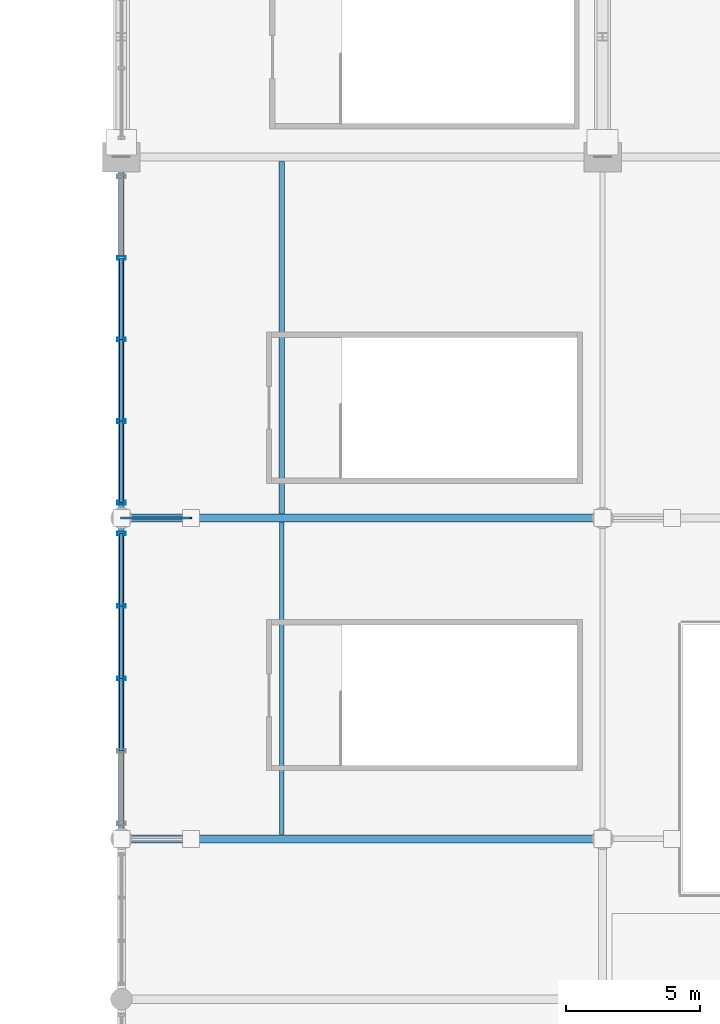
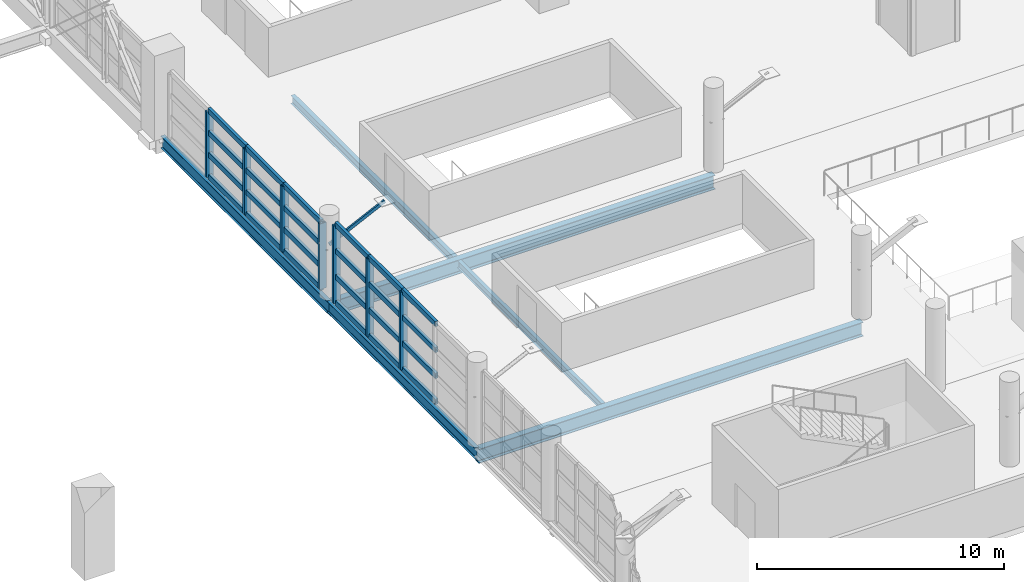
# One storey, part 14 of 136: 32 members, 6 beams, 2 elements without a shape of their own.
"""IFC4 building model written with IfcOpenShell, lengths in metres."""

from ifc_helpers import new_model, si_unit, direction, frame, origin, origin_2d, place, context, subcontext, project, spatial, hollow_rectangle, i_section, extrude, material, material_profile, profile_set, type_object, element, aggregate, save


model = new_model("IFC4")

# Units and contexts
model_context = context("Model", 3, precision=1e-05, world=origin(), true_north=direction((0.0, 1.0)))
body_context = subcontext(model_context, "Body", "Model", "MODEL_VIEW")
ifc_project = project(units=[si_unit("LENGTHUNIT", "METRE"), si_unit("AREAUNIT", "SQUARE_METRE"), si_unit("VOLUMEUNIT", "CUBIC_METRE"), si_unit("PLANEANGLEUNIT", "RADIAN"), si_unit("MASSUNIT", "GRAM", prefix="KILO")], contexts=[model_context])

# Site, building, storey
site_placement = place(None, origin())
site = spatial("IfcSite", under=ifc_project, at=site_placement, CompositionType="ELEMENT")
building_placement = place(site_placement, origin())
building = spatial("IfcBuilding", under=site, at=building_placement, Name="Chuanluo Vaults Station", CompositionType="ELEMENT")
storey_placement = place(building_placement, frame((0.0, 0.0, 6.60009765625)))
storey = spatial("IfcBuildingStorey", under=building, at=storey_placement, Name="L01", CompositionType="ELEMENT", Elevation=6.60009765625)

# Beams
ifc_material_1 = material(Name="Steel Q355C", Category="steel")
ifc_material_profile_1 = material_profile(ifc_material_1, i_section(OverallWidth=0.199951171875, OverallDepth=0.550048828125, WebThickness=0.010009765625, FlangeThickness=0.01611328125, FilletRadius=0.01806640625, at=origin_2d()))
ifc_profile_set_1 = profile_set([ifc_material_profile_1], Name="Steel Q355C")
beam_type_1 = type_object("IfcBeamType", Name="BM-GRD-550", PredefinedType="USERDEFINED", material=ifc_profile_set_1)
beam_1_placement = place(storey_placement, frame((18.0, 42.0, -0.55517578125), z_axis=(0.0, 1.0, 0.0), x_axis=(-1.0, 0.0, 0.0)))
element("IfcBeam", 1, at=beam_1_placement, inside=storey, type_object=beam_type_1, Name="Floor girder BM:GY:L01:0415", ObjectType="GIRDER", PredefinedType="USERDEFINED", context=body_context, shape_type="SweptSolid", body=[
    extrude(i_section(OverallWidth=0.199951171875, OverallDepth=0.550048828125, WebThickness=0.010009765625, FlangeThickness=0.01611328125, FilletRadius=0.01806640625, at=origin_2d()), origin(), (0.0, 0.0, 1.0), 12.0),
])
ifc_material_2 = material(Name="Steel Q355C", Category="steel")
ifc_material_profile_2 = material_profile(ifc_material_2, i_section(OverallWidth=0.199951171875, OverallDepth=0.60009765625, WebThickness=0.010986328125, FlangeThickness=0.01708984375, FilletRadius=0.01806640625, at=origin_2d()))
ifc_profile_set_2 = profile_set([ifc_material_profile_2], Name="Steel Q355C")
beam_type_2 = type_object("IfcBeamType", Name="BM-GRD-600", PredefinedType="USERDEFINED", material=ifc_profile_set_2)
beam_2_placement = place(storey_placement, frame((18.0, 54.0, -0.580078125), z_axis=(0.0, 1.0, 0.0), x_axis=(-1.0, 0.0, 0.0)))
element("IfcBeam", 2, at=beam_2_placement, inside=storey, type_object=beam_type_2, Name="Floor girder BM:GY:L01:0416", ObjectType="GIRDER", PredefinedType="USERDEFINED", context=body_context, shape_type="SweptSolid", body=[
    extrude(i_section(OverallWidth=0.199951171875, OverallDepth=0.60009765625, WebThickness=0.010986328125, FlangeThickness=0.01708984375, FilletRadius=0.01806640625, at=origin_2d()), origin(), (0.0, 0.0, 1.0), 13.5),
])
ifc_material_3 = material(Name="Steel Q355C", Category="steel")
ifc_material_profile_3 = material_profile(ifc_material_3, i_section(OverallWidth=0.300048828125, OverallDepth=0.699951171875, WebThickness=0.012939453125, FlangeThickness=0.02392578125, FilletRadius=0.02197265625, at=origin_2d()))
ifc_profile_set_3 = profile_set([ifc_material_profile_3], Name="Steel Q355C")
beam_type_3 = type_object("IfcBeamType", Name="BM-GRD-700", PredefinedType="USERDEFINED", material=ifc_profile_set_3)
for number, where, z_axis, x_axis, name in (
    (3, (18.0, 42.0, -0.630126953125), (1.0, 0.0, 0.0), (0.0, 1.0, 0.0), "Floor girder BM:GX:L01:0314"),
    (4, (18.0, 54.0, -0.630126953125), (1.0, 0.0, 0.0), (0.0, 1.0, 0.0), "Floor girder BM:GX:L01:0323"),
):
    element("IfcBeam", number, at=place(storey_placement, frame(where, z_axis=z_axis, x_axis=x_axis)), inside=storey, type_object=beam_type_3, Name=name, ObjectType="GIRDER", PredefinedType="USERDEFINED", context=body_context, shape_type="SweptSolid", body=[
        extrude(i_section(OverallWidth=0.300048828125, OverallDepth=0.699951171875, WebThickness=0.012939453125, FlangeThickness=0.02392578125, FilletRadius=0.02197265625, at=origin_2d()), origin(), (0.0, 0.0, 1.0), 18.0),
    ])
ifc_material_4 = material(Name="Steel Q355C", Category="steel")
ifc_material_profile_4 = material_profile(ifc_material_4, i_section(OverallWidth=0.175048828125, OverallDepth=0.35009765625, WebThickness=0.007080078125, FlangeThickness=0.010986328125, FilletRadius=0.013916015625, at=origin_2d()))
ifc_profile_set_4 = profile_set([ifc_material_profile_4], Name="Steel Q355C")
beam_type_4 = type_object("IfcBeamType", Name="BM-SEC-350", PredefinedType="JOIST", material=ifc_profile_set_4)
beam_3_placement = place(storey_placement, frame((24.0, 42.155029296875, -0.455078125), z_axis=(0.0, 1.0, 0.0), x_axis=(-1.0, 0.0, 0.0)))
element("IfcBeam", 5, at=beam_3_placement, inside=storey, type_object=beam_type_4, Name="Composite secondary joist 0113", PredefinedType="JOIST", context=body_context, shape_type="SweptSolid", body=[
    extrude(i_section(OverallWidth=0.175048828125, OverallDepth=0.35009765625, WebThickness=0.007080078125, FlangeThickness=0.010986328125, FilletRadius=0.013916015625, at=origin_2d()), origin(), (0.0, 0.0, 1.0), 11.68994140625),
])
ifc_material_5 = material(Name="Steel Q355C", Category="steel")
ifc_material_profile_5 = material_profile(ifc_material_5, i_section(OverallWidth=0.199951171875, OverallDepth=0.39990234375, WebThickness=0.008056640625, FlangeThickness=0.012939453125, FilletRadius=0.01611328125, at=origin_2d()))
ifc_profile_set_5 = profile_set([ifc_material_profile_5], Name="Steel Q355C")
beam_type_5 = type_object("IfcBeamType", Name="BM-SEC-400", PredefinedType="BEAM", material=ifc_profile_set_5)
beam_4_placement = place(storey_placement, frame((24.0, 54.155029296875, -0.47998046875), z_axis=(0.0, 1.0, 0.0), x_axis=(-1.0, 0.0, 0.0)))
element("IfcBeam", 6, at=beam_4_placement, inside=storey, type_object=beam_type_5, Name="Composite secondary joist 0114", PredefinedType="BEAM", context=body_context, shape_type="SweptSolid", body=[
    extrude(i_section(OverallWidth=0.199951171875, OverallDepth=0.39990234375, WebThickness=0.008056640625, FlangeThickness=0.012939453125, FilletRadius=0.01611328125, at=origin_2d()), origin(), (0.0, 0.0, 1.0), 13.18994140625),
])

# Curtain wall, members
ifc_material_6 = material(Name="Anodised aluminium 6063-T6", Category="aluminium")
curtain_wall_type_1 = type_object("IfcCurtainWallType", Name="CW-SYS-09", PredefinedType="NOTDEFINED", material=ifc_material_6)
curtain_wall_1_placement = place(storey_placement, origin())
curtain_wall_1 = element("IfcCurtainWall", 7, at=curtain_wall_1_placement, inside=storey, type_object=curtain_wall_type_1, Name="Concourse west curtain wall 42", PredefinedType="NOTDEFINED")
ifc_material_7 = material(Name="Anodised aluminium 6063-T6", Category="aluminium")
ifc_material_profile_6 = material_profile(ifc_material_7, hollow_rectangle(XDim=0.139892578125, YDim=0.320068359375, WallThickness=0.008056640625, at=origin_2d()))
ifc_profile_set_6 = profile_set([ifc_material_profile_6], Name="Anodised aluminium 6063-T6")
member_type_1 = type_object("IfcMemberType", Name="CWM-220", PredefinedType="MULLION", material=ifc_profile_set_6)
member_1_placement = place(storey_placement, frame((18.0, 48.0, 0.0), z_axis=(0.0, 0.0, 1.0), x_axis=(0.0, 1.0, 0.0)))
member_1 = element("IfcMember", 8, at=member_1_placement, type_object=member_type_1, Name="Concourse west curtain wall 42 mullion 3", PredefinedType="MULLION", context=body_context, shape_type="SweptSolid", body=[
    extrude(hollow_rectangle(XDim=0.139892578125, YDim=0.320068359375, WallThickness=0.008056640625, at=origin_2d()), origin(), (0.0, 0.0, 1.0), 3.849853515625),
])
member_2_placement = place(storey_placement, frame((18.0, 50.71240234375, 0.0), z_axis=(0.0, 0.0, 1.0), x_axis=(0.0, 1.0, 0.0)))
member_2 = element("IfcMember", 9, at=member_2_placement, type_object=member_type_1, Name="Concourse west curtain wall 42 mullion 4", PredefinedType="MULLION", context=body_context, shape_type="SweptSolid", body=[
    extrude(hollow_rectangle(XDim=0.139892578125, YDim=0.320068359375, WallThickness=0.008056640625, at=origin_2d()), origin(), (0.0, 0.0, 1.0), 3.849853515625),
])
member_3_placement = place(storey_placement, frame((18.0, 53.425048828125, 0.0), z_axis=(0.0, 0.0, 1.0), x_axis=(0.0, 1.0, 0.0)))
member_3 = element("IfcMember", 10, at=member_3_placement, type_object=member_type_1, Name="Concourse west curtain wall 42 mullion 5", PredefinedType="MULLION", context=body_context, shape_type="SweptSolid", body=[
    extrude(hollow_rectangle(XDim=0.139892578125, YDim=0.320068359375, WallThickness=0.008056640625, at=origin_2d()), origin(), (0.0, 0.0, 1.0), 3.849853515625),
])

ifc_material_8 = material(Name="Anodised aluminium 6063-T6", Category="aluminium")
curtain_wall_type_2 = type_object("IfcCurtainWallType", Name="CW-SYS-21", PredefinedType="NOTDEFINED", material=ifc_material_8)
curtain_wall_2_placement = place(storey_placement, origin())
curtain_wall_2 = element("IfcCurtainWall", 11, at=curtain_wall_2_placement, inside=storey, type_object=curtain_wall_type_2, Name="Over-track west hall CW 54", PredefinedType="NOTDEFINED")
member_4_placement = place(storey_placement, frame((18.0, 54.574951171875, 0.0), z_axis=(0.0, 0.0, 1.0), x_axis=(0.0, 1.0, 0.0)))
member_4 = element("IfcMember", 12, at=member_4_placement, type_object=member_type_1, Name="Over-track west hall CW 54 mullion 1", PredefinedType="MULLION", context=body_context, shape_type="SweptSolid", body=[
    extrude(hollow_rectangle(XDim=0.139892578125, YDim=0.320068359375, WallThickness=0.008056640625, at=origin_2d()), origin(), (0.0, 0.0, 1.0), 3.25),
])
member_5_placement = place(storey_placement, frame((18.0, 57.625, 0.0), z_axis=(0.0, 0.0, 1.0), x_axis=(0.0, 1.0, 0.0)))
member_5 = element("IfcMember", 13, at=member_5_placement, type_object=member_type_1, Name="Over-track west hall CW 54 mullion 2", PredefinedType="MULLION", context=body_context, shape_type="SweptSolid", body=[
    extrude(hollow_rectangle(XDim=0.139892578125, YDim=0.320068359375, WallThickness=0.008056640625, at=origin_2d()), origin(), (0.0, 0.0, 1.0), 3.25),
])
member_6_placement = place(storey_placement, frame((18.0, 60.675048828125, 0.0), z_axis=(0.0, 0.0, 1.0), x_axis=(0.0, 1.0, 0.0)))
member_6 = element("IfcMember", 14, at=member_6_placement, type_object=member_type_1, Name="Over-track west hall CW 54 mullion 3", PredefinedType="MULLION", context=body_context, shape_type="SweptSolid", body=[
    extrude(hollow_rectangle(XDim=0.139892578125, YDim=0.320068359375, WallThickness=0.008056640625, at=origin_2d()), origin(), (0.0, 0.0, 1.0), 3.25),
])
member_7_placement = place(storey_placement, frame((18.0, 63.72509765625, 0.0), z_axis=(0.0, 0.0, 1.0), x_axis=(0.0, 1.0, 0.0)))
member_7 = element("IfcMember", 15, at=member_7_placement, type_object=member_type_1, Name="Over-track west hall CW 54 mullion 4", PredefinedType="MULLION", context=body_context, shape_type="SweptSolid", body=[
    extrude(hollow_rectangle(XDim=0.139892578125, YDim=0.320068359375, WallThickness=0.008056640625, at=origin_2d()), origin(), (0.0, 0.0, 1.0), 3.25),
])

# Member
ifc_material_9 = material(Name="Anodised aluminium 6063-T6", Category="aluminium")
ifc_material_profile_7 = material_profile(ifc_material_9, hollow_rectangle(XDim=0.139892578125, YDim=0.260009765625, WallThickness=0.007080078125, at=origin_2d()))
ifc_profile_set_7 = profile_set([ifc_material_profile_7], Name="Anodised aluminium 6063-T6")
member_type_2 = type_object("IfcMemberType", Name="CWT-180", PredefinedType="USERDEFINED", material=ifc_profile_set_7)
member_8_placement = place(storey_placement, frame((18.0, 45.28759765625, 0.0), z_axis=(0.0, 1.0, 0.0), x_axis=(-1.0, 0.0, 0.0)))
member_8 = element("IfcMember", 16, at=member_8_placement, type_object=member_type_2, Name="Concourse west curtain wall 42 transom 2.1", ObjectType="TRANSOM", PredefinedType="USERDEFINED", context=body_context, shape_type="SweptSolid", body=[
    extrude(hollow_rectangle(XDim=0.139892578125, YDim=0.260009765625, WallThickness=0.007080078125, at=origin_2d()), origin(), (0.0, 0.0, 1.0), 2.71240234375),
])

member_9_placement = place(storey_placement, frame((18.0, 45.28759765625, 1.283203125), z_axis=(0.0, 1.0, 0.0), x_axis=(-1.0, 0.0, 0.0)))
member_9 = element("IfcMember", 17, at=member_9_placement, type_object=member_type_2, Name="Concourse west curtain wall 42 transom 2.2", ObjectType="TRANSOM", PredefinedType="USERDEFINED", context=body_context, shape_type="SweptSolid", body=[
    extrude(hollow_rectangle(XDim=0.139892578125, YDim=0.260009765625, WallThickness=0.007080078125, at=origin_2d()), origin(), (0.0, 0.0, 1.0), 2.71240234375),
])

member_10_placement = place(storey_placement, frame((18.0, 45.28759765625, 2.566650390625), z_axis=(0.0, 1.0, 0.0), x_axis=(-1.0, 0.0, 0.0)))
member_10 = element("IfcMember", 18, at=member_10_placement, type_object=member_type_2, Name="Concourse west curtain wall 42 transom 2.3", ObjectType="TRANSOM", PredefinedType="USERDEFINED", context=body_context, shape_type="SweptSolid", body=[
    extrude(hollow_rectangle(XDim=0.139892578125, YDim=0.260009765625, WallThickness=0.007080078125, at=origin_2d()), origin(), (0.0, 0.0, 1.0), 2.71240234375),
])

member_11_placement = place(storey_placement, frame((18.0, 45.28759765625, 3.849853515625), z_axis=(0.0, 1.0, 0.0), x_axis=(-1.0, 0.0, 0.0)))
member_11 = element("IfcMember", 19, at=member_11_placement, type_object=member_type_2, Name="Concourse west curtain wall 42 transom 2.4", ObjectType="TRANSOM", PredefinedType="USERDEFINED", context=body_context, shape_type="SweptSolid", body=[
    extrude(hollow_rectangle(XDim=0.139892578125, YDim=0.260009765625, WallThickness=0.007080078125, at=origin_2d()), origin(), (0.0, 0.0, 1.0), 2.71240234375),
])

member_12_placement = place(storey_placement, frame((18.0, 48.0, 0.0), z_axis=(0.0, 1.0, 0.0), x_axis=(-1.0, 0.0, 0.0)))
member_12 = element("IfcMember", 20, at=member_12_placement, type_object=member_type_2, Name="Concourse west curtain wall 42 transom 3.1", ObjectType="TRANSOM", PredefinedType="USERDEFINED", context=body_context, shape_type="SweptSolid", body=[
    extrude(hollow_rectangle(XDim=0.139892578125, YDim=0.260009765625, WallThickness=0.007080078125, at=origin_2d()), origin(), (0.0, 0.0, 1.0), 2.71240234375),
])

member_13_placement = place(storey_placement, frame((18.0, 48.0, 1.283203125), z_axis=(0.0, 1.0, 0.0), x_axis=(-1.0, 0.0, 0.0)))
member_13 = element("IfcMember", 21, at=member_13_placement, type_object=member_type_2, Name="Concourse west curtain wall 42 transom 3.2", ObjectType="TRANSOM", PredefinedType="USERDEFINED", context=body_context, shape_type="SweptSolid", body=[
    extrude(hollow_rectangle(XDim=0.139892578125, YDim=0.260009765625, WallThickness=0.007080078125, at=origin_2d()), origin(), (0.0, 0.0, 1.0), 2.71240234375),
])

member_14_placement = place(storey_placement, frame((18.0, 48.0, 2.566650390625), z_axis=(0.0, 1.0, 0.0), x_axis=(-1.0, 0.0, 0.0)))
member_14 = element("IfcMember", 22, at=member_14_placement, type_object=member_type_2, Name="Concourse west curtain wall 42 transom 3.3", ObjectType="TRANSOM", PredefinedType="USERDEFINED", context=body_context, shape_type="SweptSolid", body=[
    extrude(hollow_rectangle(XDim=0.139892578125, YDim=0.260009765625, WallThickness=0.007080078125, at=origin_2d()), origin(), (0.0, 0.0, 1.0), 2.71240234375),
])

member_15_placement = place(storey_placement, frame((18.0, 48.0, 3.849853515625), z_axis=(0.0, 1.0, 0.0), x_axis=(-1.0, 0.0, 0.0)))
member_15 = element("IfcMember", 23, at=member_15_placement, type_object=member_type_2, Name="Concourse west curtain wall 42 transom 3.4", ObjectType="TRANSOM", PredefinedType="USERDEFINED", context=body_context, shape_type="SweptSolid", body=[
    extrude(hollow_rectangle(XDim=0.139892578125, YDim=0.260009765625, WallThickness=0.007080078125, at=origin_2d()), origin(), (0.0, 0.0, 1.0), 2.71240234375),
])

member_16_placement = place(storey_placement, frame((18.0, 50.71240234375, 0.0), z_axis=(0.0, 1.0, 0.0), x_axis=(-1.0, 0.0, 0.0)))
member_16 = element("IfcMember", 24, at=member_16_placement, type_object=member_type_2, Name="Concourse west curtain wall 42 transom 4.1", ObjectType="TRANSOM", PredefinedType="USERDEFINED", context=body_context, shape_type="SweptSolid", body=[
    extrude(hollow_rectangle(XDim=0.139892578125, YDim=0.260009765625, WallThickness=0.007080078125, at=origin_2d()), origin(), (0.0, 0.0, 1.0), 2.712646484375),
])

member_17_placement = place(storey_placement, frame((18.0, 50.71240234375, 1.283203125), z_axis=(0.0, 1.0, 0.0), x_axis=(-1.0, 0.0, 0.0)))
member_17 = element("IfcMember", 25, at=member_17_placement, type_object=member_type_2, Name="Concourse west curtain wall 42 transom 4.2", ObjectType="TRANSOM", PredefinedType="USERDEFINED", context=body_context, shape_type="SweptSolid", body=[
    extrude(hollow_rectangle(XDim=0.139892578125, YDim=0.260009765625, WallThickness=0.007080078125, at=origin_2d()), origin(), (0.0, 0.0, 1.0), 2.712646484375),
])

member_18_placement = place(storey_placement, frame((18.0, 50.71240234375, 2.566650390625), z_axis=(0.0, 1.0, 0.0), x_axis=(-1.0, 0.0, 0.0)))
member_18 = element("IfcMember", 26, at=member_18_placement, type_object=member_type_2, Name="Concourse west curtain wall 42 transom 4.3", ObjectType="TRANSOM", PredefinedType="USERDEFINED", context=body_context, shape_type="SweptSolid", body=[
    extrude(hollow_rectangle(XDim=0.139892578125, YDim=0.260009765625, WallThickness=0.007080078125, at=origin_2d()), origin(), (0.0, 0.0, 1.0), 2.712646484375),
])

member_19_placement = place(storey_placement, frame((18.0, 50.71240234375, 3.849853515625), z_axis=(0.0, 1.0, 0.0), x_axis=(-1.0, 0.0, 0.0)))
member_19 = element("IfcMember", 27, at=member_19_placement, type_object=member_type_2, Name="Concourse west curtain wall 42 transom 4.4", ObjectType="TRANSOM", PredefinedType="USERDEFINED", context=body_context, shape_type="SweptSolid", body=[
    extrude(hollow_rectangle(XDim=0.139892578125, YDim=0.260009765625, WallThickness=0.007080078125, at=origin_2d()), origin(), (0.0, 0.0, 1.0), 2.712646484375),
])

aggregate(curtain_wall_1, [member_1, member_2, member_3, member_8, member_9, member_10, member_11, member_12, member_13, member_14, member_15, member_16, member_17, member_18, member_19])

member_20_placement = place(storey_placement, frame((18.0, 54.574951171875, 0.0), z_axis=(0.0, 1.0, 0.0), x_axis=(-1.0, 0.0, 0.0)))
member_20 = element("IfcMember", 28, at=member_20_placement, type_object=member_type_2, Name="Over-track west hall CW 54 transom 1.1", ObjectType="TRANSOM", PredefinedType="USERDEFINED", context=body_context, shape_type="SweptSolid", body=[
    extrude(hollow_rectangle(XDim=0.139892578125, YDim=0.260009765625, WallThickness=0.007080078125, at=origin_2d()), origin(), (0.0, 0.0, 1.0), 3.050048828125),
])

member_21_placement = place(storey_placement, frame((18.0, 54.574951171875, 1.083251953125), z_axis=(0.0, 1.0, 0.0), x_axis=(-1.0, 0.0, 0.0)))
member_21 = element("IfcMember", 29, at=member_21_placement, type_object=member_type_2, Name="Over-track west hall CW 54 transom 1.2", ObjectType="TRANSOM", PredefinedType="USERDEFINED", context=body_context, shape_type="SweptSolid", body=[
    extrude(hollow_rectangle(XDim=0.139892578125, YDim=0.260009765625, WallThickness=0.007080078125, at=origin_2d()), origin(), (0.0, 0.0, 1.0), 3.050048828125),
])

member_22_placement = place(storey_placement, frame((18.0, 54.574951171875, 2.16650390625), z_axis=(0.0, 1.0, 0.0), x_axis=(-1.0, 0.0, 0.0)))
member_22 = element("IfcMember", 30, at=member_22_placement, type_object=member_type_2, Name="Over-track west hall CW 54 transom 1.3", ObjectType="TRANSOM", PredefinedType="USERDEFINED", context=body_context, shape_type="SweptSolid", body=[
    extrude(hollow_rectangle(XDim=0.139892578125, YDim=0.260009765625, WallThickness=0.007080078125, at=origin_2d()), origin(), (0.0, 0.0, 1.0), 3.050048828125),
])

member_23_placement = place(storey_placement, frame((18.0, 54.574951171875, 3.25), z_axis=(0.0, 1.0, 0.0), x_axis=(-1.0, 0.0, 0.0)))
member_23 = element("IfcMember", 31, at=member_23_placement, type_object=member_type_2, Name="Over-track west hall CW 54 transom 1.4", ObjectType="TRANSOM", PredefinedType="USERDEFINED", context=body_context, shape_type="SweptSolid", body=[
    extrude(hollow_rectangle(XDim=0.139892578125, YDim=0.260009765625, WallThickness=0.007080078125, at=origin_2d()), origin(), (0.0, 0.0, 1.0), 3.050048828125),
])

member_24_placement = place(storey_placement, frame((18.0, 57.625, 0.0), z_axis=(0.0, 1.0, 0.0), x_axis=(-1.0, 0.0, 0.0)))
member_24 = element("IfcMember", 32, at=member_24_placement, type_object=member_type_2, Name="Over-track west hall CW 54 transom 2.1", ObjectType="TRANSOM", PredefinedType="USERDEFINED", context=body_context, shape_type="SweptSolid", body=[
    extrude(hollow_rectangle(XDim=0.139892578125, YDim=0.260009765625, WallThickness=0.007080078125, at=origin_2d()), origin(), (0.0, 0.0, 1.0), 3.050048828125),
])

member_25_placement = place(storey_placement, frame((18.0, 57.625, 1.083251953125), z_axis=(0.0, 1.0, 0.0), x_axis=(-1.0, 0.0, 0.0)))
member_25 = element("IfcMember", 33, at=member_25_placement, type_object=member_type_2, Name="Over-track west hall CW 54 transom 2.2", ObjectType="TRANSOM", PredefinedType="USERDEFINED", context=body_context, shape_type="SweptSolid", body=[
    extrude(hollow_rectangle(XDim=0.139892578125, YDim=0.260009765625, WallThickness=0.007080078125, at=origin_2d()), origin(), (0.0, 0.0, 1.0), 3.050048828125),
])

member_26_placement = place(storey_placement, frame((18.0, 57.625, 2.16650390625), z_axis=(0.0, 1.0, 0.0), x_axis=(-1.0, 0.0, 0.0)))
member_26 = element("IfcMember", 34, at=member_26_placement, type_object=member_type_2, Name="Over-track west hall CW 54 transom 2.3", ObjectType="TRANSOM", PredefinedType="USERDEFINED", context=body_context, shape_type="SweptSolid", body=[
    extrude(hollow_rectangle(XDim=0.139892578125, YDim=0.260009765625, WallThickness=0.007080078125, at=origin_2d()), origin(), (0.0, 0.0, 1.0), 3.050048828125),
])

member_27_placement = place(storey_placement, frame((18.0, 57.625, 3.25), z_axis=(0.0, 1.0, 0.0), x_axis=(-1.0, 0.0, 0.0)))
member_27 = element("IfcMember", 35, at=member_27_placement, type_object=member_type_2, Name="Over-track west hall CW 54 transom 2.4", ObjectType="TRANSOM", PredefinedType="USERDEFINED", context=body_context, shape_type="SweptSolid", body=[
    extrude(hollow_rectangle(XDim=0.139892578125, YDim=0.260009765625, WallThickness=0.007080078125, at=origin_2d()), origin(), (0.0, 0.0, 1.0), 3.050048828125),
])

member_28_placement = place(storey_placement, frame((18.0, 60.675048828125, 0.0), z_axis=(0.0, 1.0, 0.0), x_axis=(-1.0, 0.0, 0.0)))
member_28 = element("IfcMember", 36, at=member_28_placement, type_object=member_type_2, Name="Over-track west hall CW 54 transom 3.1", ObjectType="TRANSOM", PredefinedType="USERDEFINED", context=body_context, shape_type="SweptSolid", body=[
    extrude(hollow_rectangle(XDim=0.139892578125, YDim=0.260009765625, WallThickness=0.007080078125, at=origin_2d()), origin(), (0.0, 0.0, 1.0), 3.050048828125),
])

member_29_placement = place(storey_placement, frame((18.0, 60.675048828125, 1.083251953125), z_axis=(0.0, 1.0, 0.0), x_axis=(-1.0, 0.0, 0.0)))
member_29 = element("IfcMember", 37, at=member_29_placement, type_object=member_type_2, Name="Over-track west hall CW 54 transom 3.2", ObjectType="TRANSOM", PredefinedType="USERDEFINED", context=body_context, shape_type="SweptSolid", body=[
    extrude(hollow_rectangle(XDim=0.139892578125, YDim=0.260009765625, WallThickness=0.007080078125, at=origin_2d()), origin(), (0.0, 0.0, 1.0), 3.050048828125),
])

member_30_placement = place(storey_placement, frame((18.0, 60.675048828125, 2.16650390625), z_axis=(0.0, 1.0, 0.0), x_axis=(-1.0, 0.0, 0.0)))
member_30 = element("IfcMember", 38, at=member_30_placement, type_object=member_type_2, Name="Over-track west hall CW 54 transom 3.3", ObjectType="TRANSOM", PredefinedType="USERDEFINED", context=body_context, shape_type="SweptSolid", body=[
    extrude(hollow_rectangle(XDim=0.139892578125, YDim=0.260009765625, WallThickness=0.007080078125, at=origin_2d()), origin(), (0.0, 0.0, 1.0), 3.050048828125),
])

member_31_placement = place(storey_placement, frame((18.0, 60.675048828125, 3.25), z_axis=(0.0, 1.0, 0.0), x_axis=(-1.0, 0.0, 0.0)))
member_31 = element("IfcMember", 39, at=member_31_placement, type_object=member_type_2, Name="Over-track west hall CW 54 transom 3.4", ObjectType="TRANSOM", PredefinedType="USERDEFINED", context=body_context, shape_type="SweptSolid", body=[
    extrude(hollow_rectangle(XDim=0.139892578125, YDim=0.260009765625, WallThickness=0.007080078125, at=origin_2d()), origin(), (0.0, 0.0, 1.0), 3.050048828125),
])

aggregate(curtain_wall_2, [member_4, member_5, member_6, member_7, member_20, member_21, member_22, member_23, member_24, member_25, member_26, member_27, member_28, member_29, member_30, member_31])

ifc_material_10 = material(Name="Steel Q355C", Category="steel")
ifc_material_profile_8 = material_profile(ifc_material_10, hollow_rectangle(XDim=0.080078125, YDim=0.159912109375, WallThickness=0.006103515625, at=origin_2d()))
ifc_profile_set_8 = profile_set([ifc_material_profile_8], Name="Steel Q355C")
member_type_3 = type_object("IfcMemberType", Name="MEM-RHS-160", PredefinedType="STRINGER", material=ifc_profile_set_8)
member_32_placement = place(storey_placement, frame((18.0, 54.0, 2.5), z_axis=(0.901258779583, 0.0, 0.4332812161), x_axis=(0.0, 1.0, 0.0)))
element("IfcMember", 40, at=member_32_placement, inside=storey, type_object=member_type_3, Name="Concourse gallery knee strut 13", PredefinedType="STRINGER", context=body_context, shape_type="SweptSolid", body=[
    extrude(hollow_rectangle(XDim=0.080078125, YDim=0.159912109375, WallThickness=0.006103515625, at=origin_2d()), origin(), (0.0, 0.0, 1.0), 2.885009765625),
])

save(model, "model.ifc")
